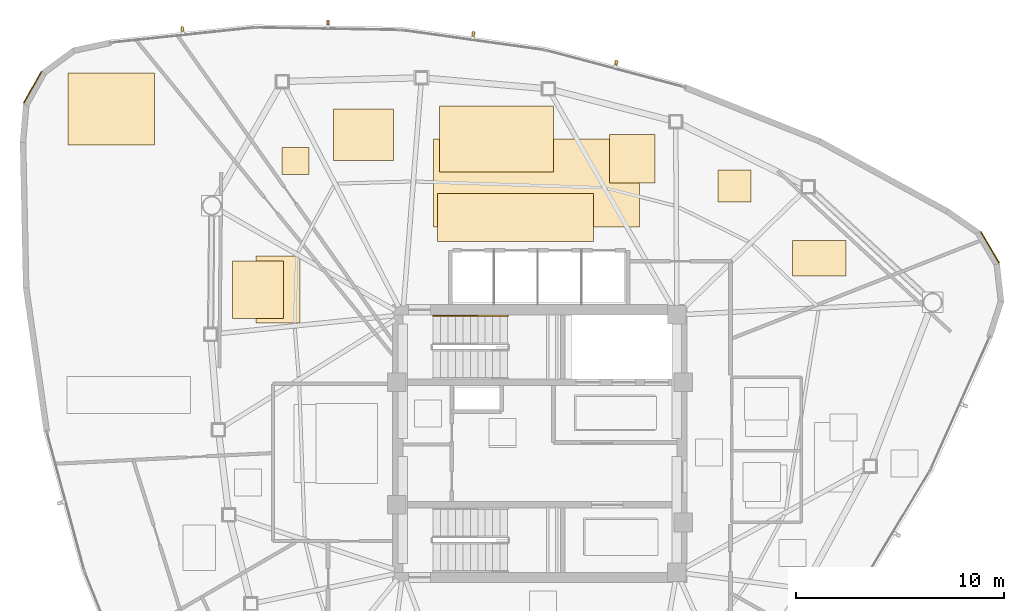
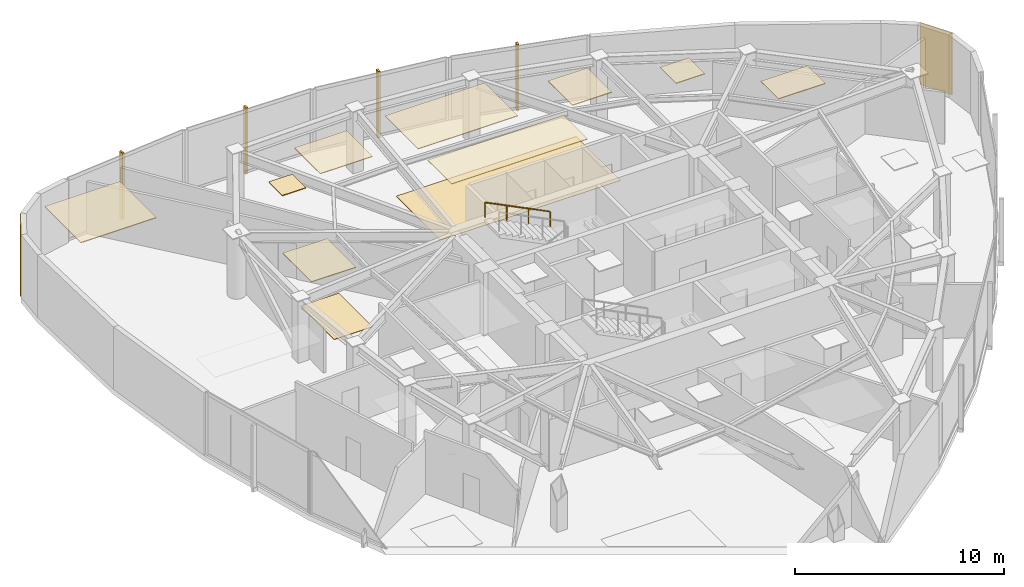
# One storey, part 13 of 13: 13 coverings, 4 shading devices, 1 railing.
"""IFC4 building model written with IfcOpenShell, lengths in metres."""

from ifc_helpers import new_model, si_unit, direction, frame, origin, origin_2d, place, context, subcontext, project, spatial, polyline, rectangle, outline, extrude, source, transform, mapped, material, layer, layer_set, type_object, type_shapes, element, save


model = new_model("IFC4")

# Units and contexts
model_context = context("Model", 3, precision=1e-05, world=origin(), true_north=direction((0.0, 1.0)))
body_context = subcontext(model_context, "Body", "Model", "MODEL_VIEW")
ifc_project = project(units=[si_unit("LENGTHUNIT", "METRE"), si_unit("AREAUNIT", "SQUARE_METRE"), si_unit("VOLUMEUNIT", "CUBIC_METRE"), si_unit("PLANEANGLEUNIT", "RADIAN"), si_unit("MASSUNIT", "GRAM", prefix="KILO")], contexts=[model_context])

# Site, building, storey
site_placement = place(None, origin())
site = spatial("IfcSite", under=ifc_project, at=site_placement, CompositionType="ELEMENT")
building_placement = place(site_placement, origin())
building = spatial("IfcBuilding", under=site, at=building_placement, Name="Tavelor Broadcast Tower", CompositionType="ELEMENT")
storey_placement = place(building_placement, frame((0.0, 0.0, 245.85009765625)))
storey = spatial("IfcBuildingStorey", under=building, at=storey_placement, Name="L58", CompositionType="ELEMENT", Elevation=245.85009765625)

# Coverings
ifc_material_1 = material(Name="Copper-Bronze Anodized Aluminium", Category="aluminium")
ifc_layer_1 = layer(ifc_material_1, 0.050048828125)
ifc_layer_set_1 = layer_set([ifc_layer_1], Name="Copper-Bronze Anodized Aluminium")
covering_type_1 = type_object("IfcCoveringType", Name="Champagne-Bronze Corner Pier Metal Cladding 50 mm", PredefinedType="CLADDING", material=ifc_layer_set_1)
covering_1_placement = place(storey_placement, frame((25.569091796875, 62.163330078125, 0.02001953125), z_axis=(0.0, 0.0, 1.0), x_axis=(-0.488621241497, -0.872496007073, 0.0)))
element("IfcCovering", 1, at=covering_1_placement, inside=storey, type_object=covering_type_1, Name="L58 Champagne-Bronze Corner Cladding 03", PredefinedType="CLADDING", context=body_context, shape_type="SweptSolid", body=[
    extrude(rectangle(XDim=1.74365234375, YDim=0.050048828125, at=origin_2d()), origin(), (0.0, 0.0, 1.0), 3.610107421875),
])
covering_2_placement = place(storey_placement, frame((71.679443359375, 54.458251953125, 0.02001953125), z_axis=(0.0, 0.0, 1.0), x_axis=(-0.511293086077, 0.859406411501, 0.0)))
element("IfcCovering", 2, at=covering_2_placement, inside=storey, type_object=covering_type_1, Name="L58 Champagne-Bronze Corner Cladding 23", PredefinedType="CLADDING", context=body_context, shape_type="SweptSolid", body=[
    extrude(rectangle(XDim=1.743408203125, YDim=0.050048828125, at=origin_2d()), origin(), (0.0, 0.0, 1.0), 3.610107421875),
])

# Railing
ifc_material_2 = material(Name="Steel S355", Category="steel")
railing_type = type_object("IfcRailingType", Name="Continuous Brushed Stainless Handrail 900 mm", PredefinedType="HANDRAIL", material=ifc_material_2)
railing_placement = place(storey_placement, frame((48.449951171875, 51.14990234375, 2.154541015625)))
element("IfcRailing", 3, at=railing_placement, inside=storey, type_object=railing_type, Name="L58 ST1 stair handrail 2", PredefinedType="HANDRAIL", context=body_context, shape_type="SweptSolid", body=[
    extrude(rectangle(XDim=0.048095703125, YDim=0.048095703125, at=origin_2d()), frame((0.0, 0.0, 0.8759765625), z_axis=(-0.894875846893, 0.0, 0.446315156192), x_axis=(0.0, -1.0, 0.0)), (0.0, 0.0, 1.0), 4.022705078125),
    extrude(rectangle(XDim=0.0419921875, YDim=0.0419921875, at=origin_2d()), origin(), (0.0, 0.0, 1.0), 0.851806640625),
    extrude(rectangle(XDim=0.0419921875, YDim=0.0419921875, at=origin_2d()), frame((-1.199951171875, 0.0, 0.598388671875)), (0.0, 0.0, 1.0), 0.851806640625),
    extrude(rectangle(XDim=0.0419921875, YDim=0.0419921875, at=origin_2d()), frame((-2.39990234375, 0.0, 1.197021484375)), (0.0, 0.0, 1.0), 0.851806640625),
    extrude(rectangle(XDim=0.0419921875, YDim=0.0419921875, at=origin_2d()), frame((-3.599853515625, 0.0, 1.79541015625)), (0.0, 0.0, 1.0), 0.851806640625),
])

# Coverings
ifc_material_3 = material(Name="Acoustic Nylon Carpet Tile")
ifc_layer_2 = layer(ifc_material_3, 0.02001953125)
ifc_layer_set_2 = layer_set([ifc_layer_2], Name="Acoustic Nylon Carpet Tile")
covering_type_2 = type_object("IfcCoveringType", Name="Heavy-Duty Acoustic Broadcast Carpet Tile 20 mm", PredefinedType="FLOORING", material=ifc_layer_set_2)
covering_3_placement = place(storey_placement, origin())
element("IfcCovering", 4, at=covering_3_placement, inside=storey, type_object=covering_type_2, Name="L58 Broadcast Floor Finish 0859", PredefinedType="FLOORING", context=body_context, shape_type="SweptSolid", body=[
    extrude(outline(polyline([(36.320556640625, 50.807373046875), (38.439697265625, 50.807373046875), (38.439697265625, 54.03271484375), (36.320556640625, 54.03271484375), (36.320556640625, 50.807373046875)])), origin(), (0.0, 0.0, 1.0), 0.02001953125),
])
covering_4_placement = place(storey_placement, origin())
element("IfcCovering", 5, at=covering_4_placement, inside=storey, type_object=covering_type_2, Name="L58 Broadcast Floor Finish 0860", PredefinedType="FLOORING", context=body_context, shape_type="SweptSolid", body=[
    extrude(outline(polyline([(44.868896484375, 55.442138671875), (54.81201171875, 55.442138671875), (54.81201171875, 59.675048828125), (44.868896484375, 59.675048828125), (44.868896484375, 55.442138671875)])), origin(), (0.0, 0.0, 1.0), 0.02001953125),
])
ifc_material_4 = material(Name="Acoustic Mineral Fibre Tile")
ifc_layer_3 = layer(ifc_material_4, 0.0400390625)
ifc_layer_set_3 = layer_set([ifc_layer_3], Name="Acoustic Mineral Fibre Tile")
covering_type_3 = type_object("IfcCoveringType", Name="Suspended Acoustic Mineral-Fibre Office Ceiling 40 mm", PredefinedType="CEILING", material=ifc_layer_set_3)
covering_5_placement = place(storey_placement, frame((0.0, 0.0, 3.60986328125)))
element("IfcCovering", 6, at=covering_5_placement, inside=storey, type_object=covering_type_3, Name="L58 Suspended Acoustic Ceiling 2289", PredefinedType="CEILING", context=body_context, shape_type="SweptSolid", body=[
    extrude(outline(polyline([(35.197509765625, 51.0234375), (37.646484375, 51.0234375), (37.646484375, 53.785400390625), (35.197509765625, 53.785400390625), (35.197509765625, 51.0234375)])), origin(), (0.0, 0.0, 1.0), 0.0400390625),
])
covering_6_placement = place(storey_placement, frame((0.0, 0.0, 3.60986328125)))
element("IfcCovering", 7, at=covering_6_placement, inside=storey, type_object=covering_type_3, Name="L58 Suspended Acoustic Ceiling 2290", PredefinedType="CEILING", context=body_context, shape_type="SweptSolid", body=[
    extrude(outline(polyline([(27.28173828125, 59.373291015625), (31.4423828125, 59.373291015625), (31.4423828125, 62.855712890625), (27.28173828125, 62.855712890625), (27.28173828125, 59.373291015625)])), origin(), (0.0, 0.0, 1.0), 0.0400390625),
])
covering_7_placement = place(storey_placement, frame((0.0, 0.0, 3.60986328125)))
element("IfcCovering", 8, at=covering_7_placement, inside=storey, type_object=covering_type_3, Name="L58 Suspended Acoustic Ceiling 2292", PredefinedType="CEILING", context=body_context, shape_type="SweptSolid", body=[
    extrude(outline(polyline([(58.577392578125, 56.6474609375), (60.170654296875, 56.6474609375), (60.170654296875, 58.18701171875), (58.577392578125, 58.18701171875), (58.577392578125, 56.6474609375)])), origin(), (0.0, 0.0, 1.0), 0.0400390625),
])
covering_8_placement = place(storey_placement, frame((0.0, 0.0, 3.60986328125)))
element("IfcCovering", 9, at=covering_8_placement, inside=storey, type_object=covering_type_3, Name="L58 Suspended Acoustic Ceiling 2293", PredefinedType="CEILING", context=body_context, shape_type="SweptSolid", body=[
    extrude(outline(polyline([(62.16796875, 53.071044921875), (64.752197265625, 53.071044921875), (64.752197265625, 54.773193359375), (62.16796875, 54.773193359375), (62.16796875, 53.071044921875)])), origin(), (0.0, 0.0, 1.0), 0.0400390625),
])
covering_9_placement = place(storey_placement, frame((0.0, 0.0, 3.60986328125)))
element("IfcCovering", 10, at=covering_9_placement, inside=storey, type_object=covering_type_3, Name="L58 Suspended Acoustic Ceiling 2294", PredefinedType="CEILING", context=body_context, shape_type="SweptSolid", body=[
    extrude(outline(polyline([(45.081787109375, 54.744140625), (52.593505859375, 54.744140625), (52.593505859375, 57.0380859375), (45.081787109375, 57.0380859375), (45.081787109375, 54.744140625)])), origin(), (0.0, 0.0, 1.0), 0.0400390625),
])
covering_10_placement = place(storey_placement, frame((0.0, 0.0, 3.60986328125)))
element("IfcCovering", 11, at=covering_10_placement, inside=storey, type_object=covering_type_3, Name="L58 Suspended Acoustic Ceiling 2295", PredefinedType="CEILING", context=body_context, shape_type="SweptSolid", body=[
    extrude(outline(polyline([(37.588134765625, 57.959716796875), (38.88818359375, 57.959716796875), (38.88818359375, 59.259765625), (37.588134765625, 59.259765625), (37.588134765625, 57.959716796875)])), origin(), (0.0, 0.0, 1.0), 0.0400390625),
])
covering_11_placement = place(storey_placement, frame((0.0, 0.0, 3.60986328125)))
element("IfcCovering", 12, at=covering_11_placement, inside=storey, type_object=covering_type_3, Name="L58 Suspended Acoustic Ceiling 2296", PredefinedType="CEILING", context=body_context, shape_type="SweptSolid", body=[
    extrude(outline(polyline([(53.365478515625, 57.541259765625), (55.54296875, 57.541259765625), (55.54296875, 59.880615234375), (53.365478515625, 59.880615234375), (53.365478515625, 57.541259765625)])), origin(), (0.0, 0.0, 1.0), 0.0400390625),
])
covering_12_placement = place(storey_placement, frame((0.0, 0.0, 3.60986328125)))
element("IfcCovering", 13, at=covering_12_placement, inside=storey, type_object=covering_type_3, Name="L58 Suspended Acoustic Ceiling 2297", PredefinedType="CEILING", context=body_context, shape_type="SweptSolid", body=[
    extrude(outline(polyline([(45.157470703125, 58.081787109375), (50.666015625, 58.081787109375), (50.666015625, 61.25537109375), (45.157470703125, 61.25537109375), (45.157470703125, 58.081787109375)])), origin(), (0.0, 0.0, 1.0), 0.0400390625),
])
covering_13_placement = place(storey_placement, frame((0.0, 0.0, 3.60986328125)))
element("IfcCovering", 14, at=covering_13_placement, inside=storey, type_object=covering_type_3, Name="L58 Suspended Acoustic Ceiling 2298", PredefinedType="CEILING", context=body_context, shape_type="SweptSolid", body=[
    extrude(outline(polyline([(40.068359375, 58.62890625), (42.954833984375, 58.62890625), (42.954833984375, 61.10546875), (40.068359375, 61.10546875), (40.068359375, 58.62890625)])), origin(), (0.0, 0.0, 1.0), 0.0400390625),
])

# Shading devices
ifc_material_5 = material(Name="Kiln-Fired Glazed Terracotta", Category="masonry")
shading_device_type = type_object("IfcShadingDeviceType", Name="Extruded Terracotta Baguette Sun-Screen 110x240", PredefinedType="JALOUSIE", material=ifc_material_5)
shared_shape = source(origin(), body_context, "Body", "SweptSolid", [
    extrude(rectangle(XDim=0.110107421875, YDim=0.239990234375, at=origin_2d()), origin(), (0.0, 0.0, 1.0), 3.889892578125),
])
type_shapes(shading_device_type, [shared_shape])
for number, where, z_axis, x_axis, name in (
    (15, (53.682373046875, 63.348876953125, -0.26025390625), (0.0, 0.0, 1.0), (-0.966465776722, 0.256795448608, 0.0), "L58 Terracotta Baguette Fin 609"),
    (16, (46.797119140625, 64.737060546875, -0.26025390625), (0.0, 0.0, 1.0), (-0.990461425697, 0.137790290685, 0.0), "L58 Terracotta Baguette Fin 610"),
    (17, (39.794677734375, 65.281982421875, -0.26025390625), (0.0, 0.0, 1.0), (-0.999856696158, 0.01692888504, 0.0), "L58 Terracotta Baguette Fin 611"),
    (18, (32.777587890625, 64.975341796875, -0.26025390625), (0.0, 0.0, 1.0), (-0.994558322095, -0.104181303275, 0.0), "L58 Terracotta Baguette Fin 612"),
):
    element("IfcShadingDevice", number, at=place(storey_placement, frame(where, z_axis=z_axis, x_axis=x_axis)), inside=storey, type_object=shading_device_type, Name=name, PredefinedType="JALOUSIE", context=body_context, shape_type="MappedRepresentation", body=[
        mapped(shared_shape, transform((0.0, 0.0, 0.0), scale=1.0)),
    ])

save(model, "model.ifc")
